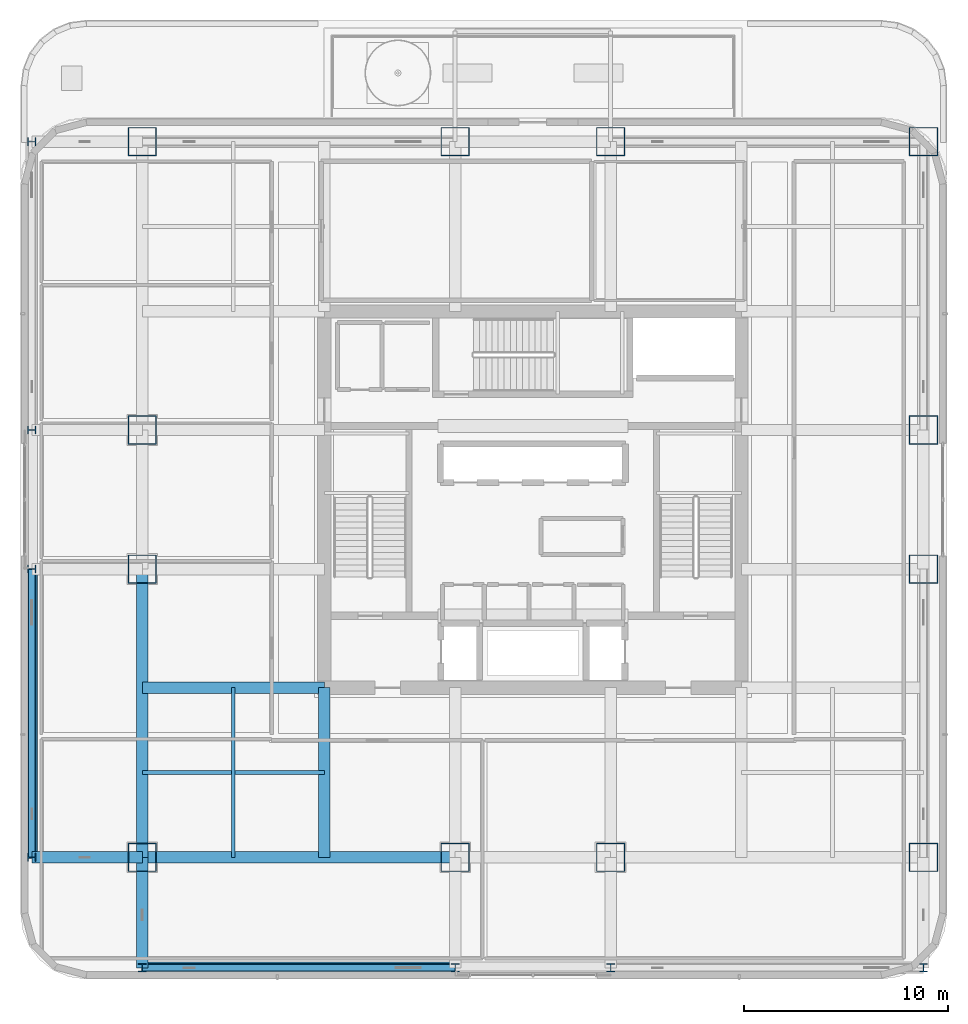
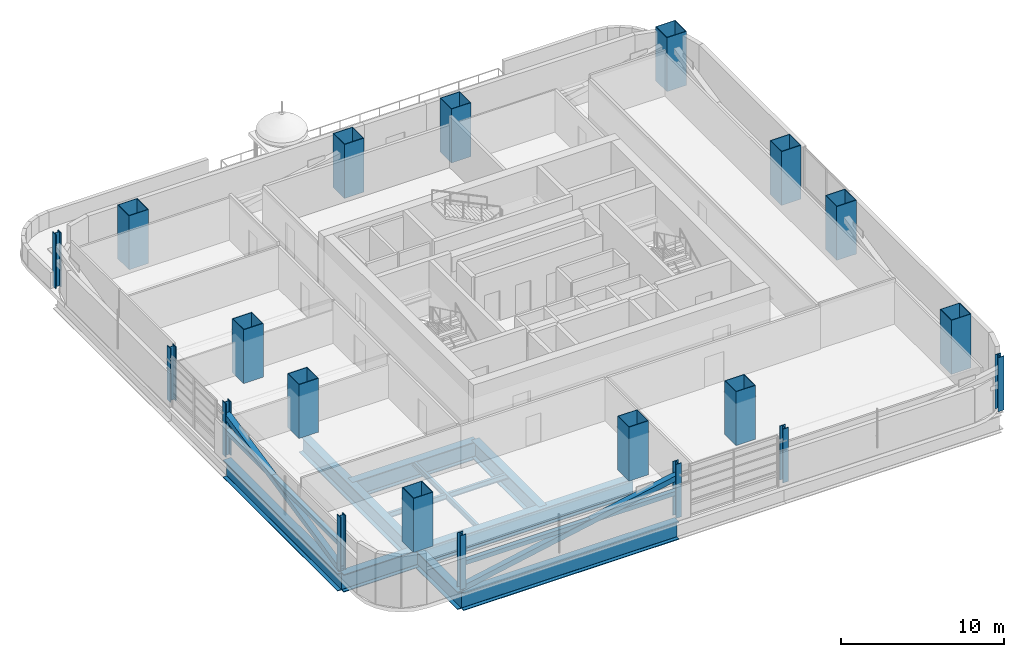
# One storey, part 1 of 29: 20 columns, 10 beams, 4 members.
"""IFC4 building model written with IfcOpenShell, lengths in metres."""

from ifc_helpers import new_model, si_unit, direction, frame, origin, origin_2d, place, context, subcontext, project, spatial, hollow_rectangle, i_section, extrude, material, material_profile, profile_set, type_object, element, save


model = new_model("IFC4")

# Units and contexts
model_context = context("Model", 3, precision=1e-05, world=origin(), true_north=direction((0.0, 1.0)))
body_context = subcontext(model_context, "Body", "Model", "MODEL_VIEW")
ifc_project = project(units=[si_unit("LENGTHUNIT", "METRE"), si_unit("AREAUNIT", "SQUARE_METRE"), si_unit("VOLUMEUNIT", "CUBIC_METRE"), si_unit("PLANEANGLEUNIT", "RADIAN"), si_unit("MASSUNIT", "GRAM", prefix="KILO")], contexts=[model_context])

# Site, building, storey
site_placement = place(None, origin())
site = spatial("IfcSite", under=ifc_project, at=site_placement, CompositionType="ELEMENT")
building_placement = place(site_placement, origin())
building = spatial("IfcBuilding", under=site, at=building_placement, Name="Punatoya Terracotta Tower", CompositionType="ELEMENT")
storey_placement = place(building_placement, frame((0.0, 0.0, 172.199951171875)))
storey = spatial("IfcBuildingStorey", under=building, at=storey_placement, Name="L40", CompositionType="ELEMENT", Elevation=172.199951171875)

# Columns
ifc_material_1 = material(Name="Steel S460", Category="steel")
ifc_material_profile_1 = material_profile(ifc_material_1, i_section(OverallWidth=0.408935546875, OverallDepth=0.425048828125, WebThickness=0.031982421875, FlangeThickness=0.052001953125, FilletRadius=0.01806640625, at=origin_2d()))
ifc_profile_set_1 = profile_set([ifc_material_profile_1], Name="Steel S460")
column_type_1 = type_object("IfcColumnType", Name="COL-EX-M2", PredefinedType="COLUMN", material=ifc_profile_set_1)
for number, where, z_axis, x_axis, name in (
    (1, (-19.10009765625, -22.89990234375, 0.0), (0.0, 0.0, 1.0), (1.0, 0.0, 0.0), "L40 Exoskeleton Perimeter Column S1"),
    (2, (-3.800048828125, -22.89990234375, 0.0), (0.0, 0.0, 1.0), (1.0, 0.0, 0.0), "L40 Exoskeleton Perimeter Column S2"),
    (3, (3.800048828125, -22.89990234375, 0.0), (0.0, 0.0, 1.0), (1.0, 0.0, 0.0), "L40 Exoskeleton Perimeter Column S3"),
    (4, (19.10009765625, -22.89990234375, 0.0), (0.0, 0.0, 1.0), (1.0, 0.0, 0.0), "L40 Exoskeleton Perimeter Column S4"),
    (5, (-24.5, -17.5, 0.0), (0.0, 0.0, 1.0), (0.0, 1.0, 0.0), "L40 Exoskeleton Perimeter Column W1"),
    (6, (-24.5, -3.39990234375, 0.0), (0.0, 0.0, 1.0), (0.0, 1.0, 0.0), "L40 Exoskeleton Perimeter Column W2"),
    (7, (-24.5, 3.39990234375, 0.0), (0.0, 0.0, 1.0), (0.0, 1.0, 0.0), "L40 Exoskeleton Perimeter Column W3"),
    (8, (-24.5, 17.5, 0.0), (0.0, 0.0, 1.0), (0.0, 1.0, 0.0), "L40 Exoskeleton Perimeter Column W4"),
):
    element("IfcColumn", number, at=place(storey_placement, frame(where, z_axis=z_axis, x_axis=x_axis)), inside=storey, type_object=column_type_1, Name=name, PredefinedType="COLUMN", context=body_context, shape_type="SweptSolid", body=[
        extrude(i_section(OverallWidth=0.408935546875, OverallDepth=0.425048828125, WebThickness=0.031982421875, FlangeThickness=0.052001953125, FilletRadius=0.01806640625, at=origin_2d()), origin(), (0.0, 0.0, 1.0), 4.048095703125),
    ])
ifc_material_profile_2 = material_profile(ifc_material_1, hollow_rectangle(XDim=1.39990234375, YDim=1.39990234375, WallThickness=0.0419921875, at=origin_2d()))
ifc_profile_set_2 = profile_set([ifc_material_profile_2], Name="Steel S460")
column_type_2 = type_object("IfcColumnType", Name="COL-MC-Z2", PredefinedType="COLUMN", material=ifc_profile_set_2)
for number, where, z_axis, x_axis, name in (
    (9, (-19.10009765625, -17.5, 0.0), (0.0, 0.0, 1.0), (1.0, 0.0, 0.0), "L40 Composite Mega-Column MC-01 (3-B)"),
    (10, (-3.800048828125, -17.5, 0.0), (0.0, 0.0, 1.0), (1.0, 0.0, 0.0), "L40 Composite Mega-Column MC-02 (5-B)"),
    (11, (3.800048828125, -17.5, 0.0), (0.0, 0.0, 1.0), (1.0, 0.0, 0.0), "L40 Composite Mega-Column MC-03 (7-B)"),
    (12, (19.10009765625, -17.5, 0.0), (0.0, 0.0, 1.0), (1.0, 0.0, 0.0), "L40 Composite Mega-Column MC-04 (9-B)"),
    (13, (19.10009765625, -3.39990234375, 0.0), (0.0, 0.0, 1.0), (1.0, 0.0, 0.0), "L40 Composite Mega-Column MC-05 (9-D)"),
    (14, (19.10009765625, 3.39990234375, 0.0), (0.0, 0.0, 1.0), (1.0, 0.0, 0.0), "L40 Composite Mega-Column MC-06 (9-E)"),
    (15, (19.10009765625, 17.5, 0.0), (0.0, 0.0, 1.0), (1.0, 0.0, 0.0), "L40 Composite Mega-Column MC-07 (9-G)"),
    (16, (3.800048828125, 17.5, 0.0), (0.0, 0.0, 1.0), (1.0, 0.0, 0.0), "L40 Composite Mega-Column MC-08 (7-G)"),
    (17, (-3.800048828125, 17.5, 0.0), (0.0, 0.0, 1.0), (1.0, 0.0, 0.0), "L40 Composite Mega-Column MC-09 (5-G)"),
    (18, (-19.10009765625, 17.5, 0.0), (0.0, 0.0, 1.0), (1.0, 0.0, 0.0), "L40 Composite Mega-Column MC-10 (3-G)"),
    (19, (-19.10009765625, 3.39990234375, 0.0), (0.0, 0.0, 1.0), (1.0, 0.0, 0.0), "L40 Composite Mega-Column MC-11 (3-E)"),
    (20, (-19.10009765625, -3.39990234375, 0.0), (0.0, 0.0, 1.0), (1.0, 0.0, 0.0), "L40 Composite Mega-Column MC-12 (3-D)"),
):
    element("IfcColumn", number, at=place(storey_placement, frame(where, z_axis=z_axis, x_axis=x_axis)), inside=storey, type_object=column_type_2, Name=name, PredefinedType="COLUMN", context=body_context, shape_type="SweptSolid", body=[
        extrude(hollow_rectangle(XDim=1.39990234375, YDim=1.39990234375, WallThickness=0.0419921875, at=origin_2d()), origin(), (0.0, 0.0, 1.0), 4.050048828125),
    ])

# Beams
ifc_material_2 = material(Name="Steel S355", Category="steel")
ifc_material_profile_3 = material_profile(ifc_material_2, i_section(OverallWidth=0.179931640625, OverallDepth=0.39990234375, WebThickness=0.008544921875, FlangeThickness=0.013427734375, FilletRadius=0.01806640625, at=origin_2d()))
ifc_profile_set_3 = profile_set([ifc_material_profile_3], Name="Steel S355")
beam_type_1 = type_object("IfcBeamType", Name="BM-SEC-400", PredefinedType="JOIST", material=ifc_profile_set_3)
beam_1_placement = place(storey_placement, frame((-19.10009765625, -13.35009765625, -0.47998046875), z_axis=(1.0, 0.0, 0.0), x_axis=(0.0, 1.0, 0.0)))
element("IfcBeam", 21, at=beam_1_placement, inside=storey, type_object=beam_type_1, Name="BM-L40-SJS-1", PredefinedType="JOIST", context=body_context, shape_type="SweptSolid", body=[
    extrude(i_section(OverallWidth=0.179931640625, OverallDepth=0.39990234375, WebThickness=0.008544921875, FlangeThickness=0.013427734375, FilletRadius=0.01806640625, at=origin_2d()), origin(), (0.0, 0.0, 1.0), 8.900146484375),
])
beam_2_placement = place(storey_placement, frame((-14.64990234375, -17.5, -0.47998046875), z_axis=(0.0, 1.0, 0.0), x_axis=(-1.0, 0.0, 0.0)))
element("IfcBeam", 22, at=beam_2_placement, inside=storey, type_object=beam_type_1, Name="BM-L40-SJW-1", PredefinedType="JOIST", context=body_context, shape_type="SweptSolid", body=[
    extrude(i_section(OverallWidth=0.179931640625, OverallDepth=0.39990234375, WebThickness=0.008544921875, FlangeThickness=0.013427734375, FilletRadius=0.01806640625, at=origin_2d()), origin(), (0.0, 0.0, 1.0), 8.300048828125),
])
ifc_material_profile_4 = material_profile(ifc_material_1, i_section(OverallWidth=0.56005859375, OverallDepth=1.320068359375, WebThickness=0.035888671875, FlangeThickness=0.054931640625, FilletRadius=0.01806640625, at=origin_2d()))
ifc_profile_set_4 = profile_set([ifc_material_profile_4], Name="Steel S460")
beam_type_2 = type_object("IfcBeamType", Name="BM-TG-BLK", PredefinedType="BEAM", material=ifc_profile_set_4)
beam_3_placement = place(storey_placement, frame((-19.10009765625, -17.5, -0.93994140625), z_axis=(1.0, 0.0, 0.0), x_axis=(0.0, 1.0, 0.0)))
element("IfcBeam", 23, at=beam_3_placement, inside=storey, type_object=beam_type_2, Name="BM-L40-RG-S1", PredefinedType="BEAM", context=body_context, shape_type="SweptSolid", body=[
    extrude(i_section(OverallWidth=0.56005859375, OverallDepth=1.320068359375, WebThickness=0.035888671875, FlangeThickness=0.054931640625, FilletRadius=0.01806640625, at=origin_2d()), origin(), (0.0, 0.0, 1.0), 15.300048828125),
])
beam_4_placement = place(storey_placement, frame((-19.10009765625, -17.5, -0.93994140625), z_axis=(0.0, 1.0, 0.0), x_axis=(-1.0, 0.0, 0.0)))
element("IfcBeam", 24, at=beam_4_placement, inside=storey, type_object=beam_type_2, Name="BM-L40-RG-W1", PredefinedType="BEAM", context=body_context, shape_type="SweptSolid", body=[
    extrude(i_section(OverallWidth=0.56005859375, OverallDepth=1.320068359375, WebThickness=0.035888671875, FlangeThickness=0.054931640625, FilletRadius=0.01806640625, at=origin_2d()), origin(), (0.0, 0.0, 1.0), 14.10009765625),
])
beam_5_placement = place(storey_placement, frame((-19.10009765625, -9.199951171875, -0.93994140625), z_axis=(1.0, 0.0, 0.0), x_axis=(0.0, 1.0, 0.0)))
element("IfcBeam", 25, at=beam_5_placement, inside=storey, type_object=beam_type_2, Name="BM-L40-PR-WS", PredefinedType="BEAM", context=body_context, shape_type="SweptSolid", body=[
    extrude(i_section(OverallWidth=0.56005859375, OverallDepth=1.320068359375, WebThickness=0.035888671875, FlangeThickness=0.054931640625, FilletRadius=0.01806640625, at=origin_2d()), origin(), (0.0, 0.0, 1.0), 8.900146484375),
])
beam_6_placement = place(storey_placement, frame((-10.199951171875, -17.5, -0.93994140625), z_axis=(0.0, 1.0, 0.0), x_axis=(-1.0, 0.0, 0.0)))
element("IfcBeam", 26, at=beam_6_placement, inside=storey, type_object=beam_type_2, Name="BM-L40-PR-S1", PredefinedType="BEAM", context=body_context, shape_type="SweptSolid", body=[
    extrude(i_section(OverallWidth=0.56005859375, OverallDepth=1.320068359375, WebThickness=0.035888671875, FlangeThickness=0.054931640625, FilletRadius=0.01806640625, at=origin_2d()), origin(), (0.0, 0.0, 1.0), 8.300048828125),
])
for number, where, z_axis, x_axis, name in (
    (27, (-24.5, -17.5, -0.93994140625), (1.0, 0.0, 0.0), (0.0, 1.0, 0.0), "BM-L40-CANT-W1"),
    (28, (-19.10009765625, -22.89990234375, -0.93994140625), (0.0, 1.0, 0.0), (-1.0, 0.0, 0.0), "BM-L40-CANT-S1"),
):
    element("IfcBeam", number, at=place(storey_placement, frame(where, z_axis=z_axis, x_axis=x_axis)), inside=storey, type_object=beam_type_2, Name=name, PredefinedType="BEAM", context=body_context, shape_type="SweptSolid", body=[
        extrude(i_section(OverallWidth=0.56005859375, OverallDepth=1.320068359375, WebThickness=0.035888671875, FlangeThickness=0.054931640625, FilletRadius=0.01806640625, at=origin_2d()), origin(), (0.0, 0.0, 1.0), 5.39990234375),
    ])
beam_7_placement = place(storey_placement, frame((-19.10009765625, -22.89990234375, -0.93994140625), z_axis=(1.0, 0.0, 0.0), x_axis=(0.0, 1.0, 0.0)))
element("IfcBeam", 29, at=beam_7_placement, inside=storey, type_object=beam_type_2, Name="BM-L40-PER-S1", PredefinedType="BEAM", context=body_context, shape_type="SweptSolid", body=[
    extrude(i_section(OverallWidth=0.56005859375, OverallDepth=1.320068359375, WebThickness=0.035888671875, FlangeThickness=0.054931640625, FilletRadius=0.01806640625, at=origin_2d()), origin(), (0.0, 0.0, 1.0), 15.300048828125),
])
beam_8_placement = place(storey_placement, frame((-24.5, -17.5, -0.93994140625), z_axis=(0.0, 1.0, 0.0), x_axis=(-1.0, 0.0, 0.0)))
element("IfcBeam", 30, at=beam_8_placement, inside=storey, type_object=beam_type_2, Name="BM-L40-PER-W1", PredefinedType="BEAM", context=body_context, shape_type="SweptSolid", body=[
    extrude(i_section(OverallWidth=0.56005859375, OverallDepth=1.320068359375, WebThickness=0.035888671875, FlangeThickness=0.054931640625, FilletRadius=0.01806640625, at=origin_2d()), origin(), (0.0, 0.0, 1.0), 14.10009765625),
])

# Members
ifc_material_profile_5 = material_profile(ifc_material_1, hollow_rectangle(XDim=0.320068359375, YDim=0.320068359375, WallThickness=0.01806640625, at=origin_2d()))
ifc_profile_set_5 = profile_set([ifc_material_profile_5], Name="Steel S460")
member_type_1 = type_object("IfcMemberType", Name="MEM-CHD-320", PredefinedType="CHORD", material=ifc_profile_set_5)
member_1_placement = place(storey_placement, frame((-19.10009765625, -22.89990234375, 1.85009765625), z_axis=(1.0, 0.0, 0.0), x_axis=(0.0, 1.0, 0.0)))
element("IfcMember", 31, at=member_1_placement, inside=storey, type_object=member_type_1, Name="L40 Exoskeleton Belt Truss Tie Chord S1", PredefinedType="CHORD", context=body_context, shape_type="SweptSolid", body=[
    extrude(hollow_rectangle(XDim=0.320068359375, YDim=0.320068359375, WallThickness=0.01806640625, at=origin_2d()), origin(), (0.0, 0.0, 1.0), 15.300048828125),
])
member_2_placement = place(storey_placement, frame((-24.5, -17.5, 1.85009765625), z_axis=(0.0, 1.0, 0.0), x_axis=(-1.0, 0.0, 0.0)))
element("IfcMember", 32, at=member_2_placement, inside=storey, type_object=member_type_1, Name="L40 Exoskeleton Belt Truss Tie Chord W1", PredefinedType="CHORD", context=body_context, shape_type="SweptSolid", body=[
    extrude(hollow_rectangle(XDim=0.320068359375, YDim=0.320068359375, WallThickness=0.01806640625, at=origin_2d()), origin(), (0.0, 0.0, 1.0), 14.10009765625),
])
ifc_material_profile_6 = material_profile(ifc_material_1, hollow_rectangle(XDim=0.39990234375, YDim=0.39990234375, WallThickness=0.02197265625, at=origin_2d()))
ifc_profile_set_6 = profile_set([ifc_material_profile_6], Name="Steel S460")
member_type_2 = type_object("IfcMemberType", Name="MEM-EXO-400", PredefinedType="BRACE", material=ifc_profile_set_6)
member_3_placement = place(storey_placement, frame((-19.10009765625, -22.89990234375, 0.02001953125), z_axis=(0.981192463394, 0.0, 0.193031991594), x_axis=(0.0, 1.0, 0.0)))
element("IfcMember", 33, at=member_3_placement, inside=storey, type_object=member_type_2, Name="L40 Exoskeleton Belt Brace S1", PredefinedType="BRACE", context=body_context, shape_type="SweptSolid", body=[
    extrude(hollow_rectangle(XDim=0.39990234375, YDim=0.39990234375, WallThickness=0.02197265625, at=origin_2d()), origin(), (0.0, 0.0, 1.0), 15.59326171875),
])
member_4_placement = place(storey_placement, frame((-24.5, -17.5, 0.02001953125), z_axis=(0.0, 0.977964679292, 0.208770414707), x_axis=(-1.0, 0.0, 0.0)))
element("IfcMember", 34, at=member_4_placement, inside=storey, type_object=member_type_2, Name="L40 Exoskeleton Belt Brace W1", PredefinedType="BRACE", context=body_context, shape_type="SweptSolid", body=[
    extrude(hollow_rectangle(XDim=0.39990234375, YDim=0.39990234375, WallThickness=0.02197265625, at=origin_2d()), origin(), (0.0, 0.0, 1.0), 14.417724609375),
])

save(model, "model.ifc")
